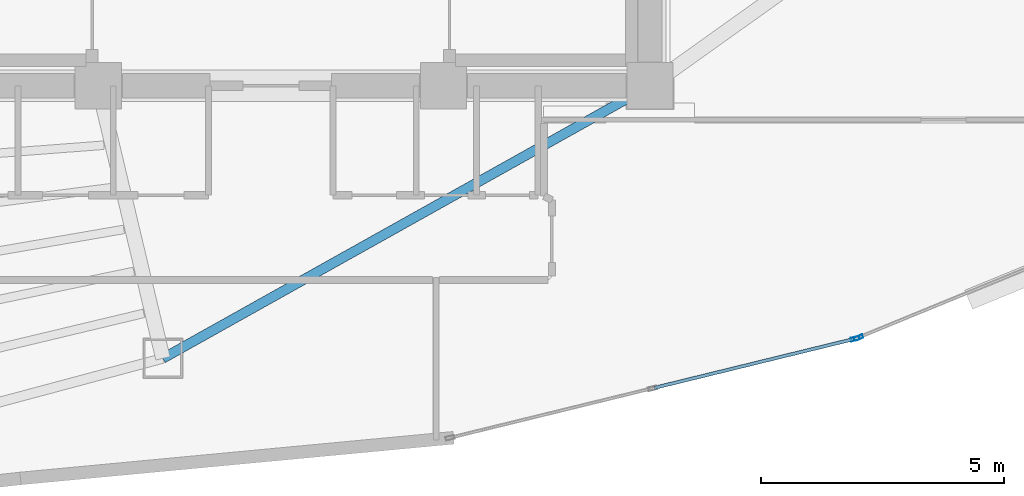
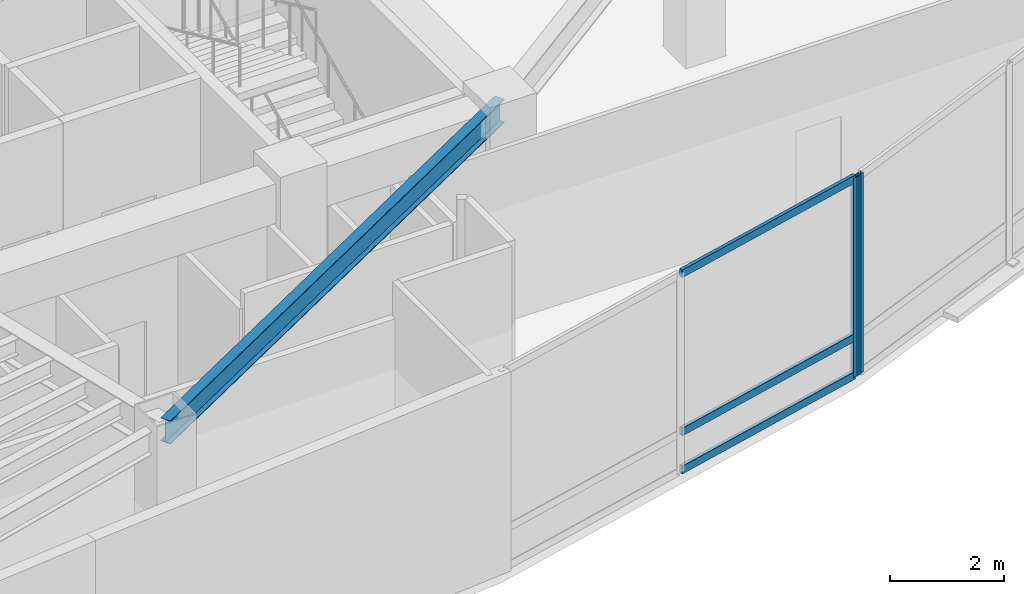
# One storey, part 5 of 17: 5 members, 1 beam, 2 elements without a shape of their own.
"""IFC4 building model written with IfcOpenShell, lengths in metres."""

from ifc_helpers import new_model, si_unit, direction, frame, origin, origin_2d, place, context, subcontext, project, spatial, hollow_rectangle, i_section, extrude, material, layer, layer_set, material_profile, profile_set, type_object, element, aggregate, save


model = new_model("IFC4")

# Units and contexts
model_context = context("Model", 3, precision=1e-05, world=origin(), true_north=direction((0.0, 1.0)))
body_context = subcontext(model_context, "Body", "Model", "MODEL_VIEW")
ifc_project = project(units=[si_unit("LENGTHUNIT", "METRE"), si_unit("AREAUNIT", "SQUARE_METRE"), si_unit("VOLUMEUNIT", "CUBIC_METRE"), si_unit("PLANEANGLEUNIT", "RADIAN"), si_unit("MASSUNIT", "GRAM", prefix="KILO")], contexts=[model_context])

# Site, building, storey
site_placement = place(None, origin())
site = spatial("IfcSite", under=ifc_project, at=site_placement, CompositionType="ELEMENT")
building_placement = place(site_placement, origin())
building = spatial("IfcBuilding", under=site, at=building_placement, Name="Menara Vayukalpa", CompositionType="ELEMENT")
storey_placement = place(building_placement, frame((0.0, 0.0, 242.639892578125)))
storey = spatial("IfcBuildingStorey", under=building, at=storey_placement, Name="L61", CompositionType="ELEMENT", Elevation=242.639892578125)

# Beam
ifc_material_1 = material(Name="Steel S355", Category="steel")
ifc_material_profile_1 = material_profile(ifc_material_1, i_section(OverallWidth=0.199951171875, OverallDepth=0.5, WebThickness=0.010009765625, FlangeThickness=0.01611328125, at=origin_2d()), Name="WF 500x200x10x16")
ifc_profile_set_1 = profile_set([ifc_material_profile_1], Name="Steel S355")
beam_type = type_object("IfcBeamType", Name="BM-SP3", PredefinedType="SPANDREL", material=ifc_profile_set_1)
beam_placement = place(storey_placement, frame((23.3818359375, 11.59521484375, 4.030029296875), z_axis=(0.87270577288, 0.48824648896, 0.0), x_axis=(-0.48824648896, 0.87270577288, 0.0)))
element("IfcBeam", 1, at=beam_placement, inside=storey, type_object=beam_type, Name="L61 Perimeter Spandrel Beam SP08", PredefinedType="SPANDREL", context=body_context, shape_type="SweptSolid", body=[
    extrude(i_section(OverallWidth=0.199951171875, OverallDepth=0.5, WebThickness=0.010009765625, FlangeThickness=0.01611328125, at=origin_2d()), origin(), (0.0, 0.0, 1.0), 11.479248046875),
])

# Curtain wall, member
ifc_material_2 = material(Name="Anodised Terracotta Aluminium Alloy 6063-T6", Category="masonry")
ifc_layer = layer(ifc_material_2, 0.179931640625)
ifc_layer_set = layer_set([ifc_layer], Name="Anodised Terracotta Aluminium Alloy 6063-T6")
curtain_wall_type = type_object("IfcCurtainWallType", Name="CW-CW4", PredefinedType="USERDEFINED", material=ifc_layer_set)
curtain_wall_1_placement = place(storey_placement, origin())
curtain_wall_1 = element("IfcCurtainWall", 2, at=curtain_wall_1_placement, inside=storey, type_object=curtain_wall_type, Name="L61 Sky Bar Cantilever Glazed Curtain Wall CW4 16", ObjectType="UNITISED", PredefinedType="USERDEFINED")
ifc_material_3 = material(Name="Anodised Terracotta Aluminium Alloy 6063-T6", Category="masonry")
ifc_material_profile_2 = material_profile(ifc_material_3, hollow_rectangle(XDim=0.074951171875, YDim=0.179931640625, WallThickness=0.00390625, at=origin_2d()), Name="ALU 75x180x4")
ifc_profile_set_2 = profile_set([ifc_material_profile_2], Name="Anodised Terracotta Aluminium Alloy 6063-T6")
member_type_1 = type_object("IfcMemberType", Name="CWM-CW4", PredefinedType="MULLION", material=ifc_profile_set_2)
member_1_placement = place(storey_placement, frame((37.61962890625, 11.9990234375, 0.0), z_axis=(0.0, 0.0, 1.0), x_axis=(-0.237809768652, 0.971311749097, 0.0)))
member_1 = element("IfcMember", 3, at=member_1_placement, type_object=member_type_1, Name="CW4 mullion 3", PredefinedType="MULLION", context=body_context, shape_type="SweptSolid", body=[
    extrude(hollow_rectangle(XDim=0.074951171875, YDim=0.179931640625, WallThickness=0.00390625, at=origin_2d()), origin(), (0.0, 0.0, 1.0), 4.280029296875),
])

curtain_wall_2_placement = place(storey_placement, origin())
curtain_wall_2 = element("IfcCurtainWall", 4, at=curtain_wall_2_placement, inside=storey, type_object=curtain_wall_type, Name="L61 Sky Bar Cantilever Glazed Curtain Wall CW4 17", ObjectType="UNITISED", PredefinedType="USERDEFINED")
member_2_placement = place(storey_placement, frame((37.690673828125, 12.022216796875, 0.0), z_axis=(0.0, 0.0, 1.0), x_axis=(-0.380039448491, 0.924970279301, 0.0)))
member_2 = element("IfcMember", 5, at=member_2_placement, type_object=member_type_1, Name="CW4 mullion 1", PredefinedType="MULLION", context=body_context, shape_type="SweptSolid", body=[
    extrude(hollow_rectangle(XDim=0.074951171875, YDim=0.179931640625, WallThickness=0.00390625, at=origin_2d()), origin(), (0.0, 0.0, 1.0), 4.280029296875),
])
aggregate(curtain_wall_2, [member_2])

# Member
ifc_material_4 = material(Name="Anodised Terracotta Aluminium Alloy 6063-T6", Category="masonry")
ifc_material_profile_3 = material_profile(ifc_material_4, hollow_rectangle(XDim=0.070068359375, YDim=0.1650390625, WallThickness=0.00390625, at=origin_2d()), Name="ALU 70x165x4")
ifc_profile_set_3 = profile_set([ifc_material_profile_3], Name="Anodised Terracotta Aluminium Alloy 6063-T6")
member_type_2 = type_object("IfcMemberType", Name="CWT-CW4", PredefinedType="USERDEFINED", material=ifc_profile_set_3)
member_3_placement = place(storey_placement, frame((33.48974609375, 10.988037109375, 0.03515625), z_axis=(0.971313425115, 0.237802923009, 0.0), x_axis=(-0.237802923009, 0.971313425115, 0.0)))
member_3 = element("IfcMember", 6, at=member_3_placement, type_object=member_type_2, Name="CW4 transom 2.1", ObjectType="TRANSOM", PredefinedType="USERDEFINED", context=body_context, shape_type="SweptSolid", body=[
    extrude(hollow_rectangle(XDim=0.070068359375, YDim=0.1650390625, WallThickness=0.00390625, at=origin_2d()), origin(), (0.0, 0.0, 1.0), 4.21435546875),
])

member_4_placement = place(storey_placement, frame((33.48974609375, 10.988037109375, 0.85009765625), z_axis=(0.971313425115, 0.237802923009, 0.0), x_axis=(-0.237802923009, 0.971313425115, 0.0)))
member_4 = element("IfcMember", 7, at=member_4_placement, type_object=member_type_2, Name="CW4 transom 2.2", ObjectType="TRANSOM", PredefinedType="USERDEFINED", context=body_context, shape_type="SweptSolid", body=[
    extrude(hollow_rectangle(XDim=0.070068359375, YDim=0.1650390625, WallThickness=0.00390625, at=origin_2d()), origin(), (0.0, 0.0, 1.0), 4.21435546875),
])

member_5_placement = place(storey_placement, frame((33.48974609375, 10.988037109375, 4.2451171875), z_axis=(0.971313425115, 0.237802923009, 0.0), x_axis=(-0.237802923009, 0.971313425115, 0.0)))
member_5 = element("IfcMember", 8, at=member_5_placement, type_object=member_type_2, Name="CW4 transom 2.3", ObjectType="TRANSOM", PredefinedType="USERDEFINED", context=body_context, shape_type="SweptSolid", body=[
    extrude(hollow_rectangle(XDim=0.070068359375, YDim=0.1650390625, WallThickness=0.00390625, at=origin_2d()), origin(), (0.0, 0.0, 1.0), 4.21435546875),
])

aggregate(curtain_wall_1, [member_1, member_3, member_4, member_5])

save(model, "model.ifc")
